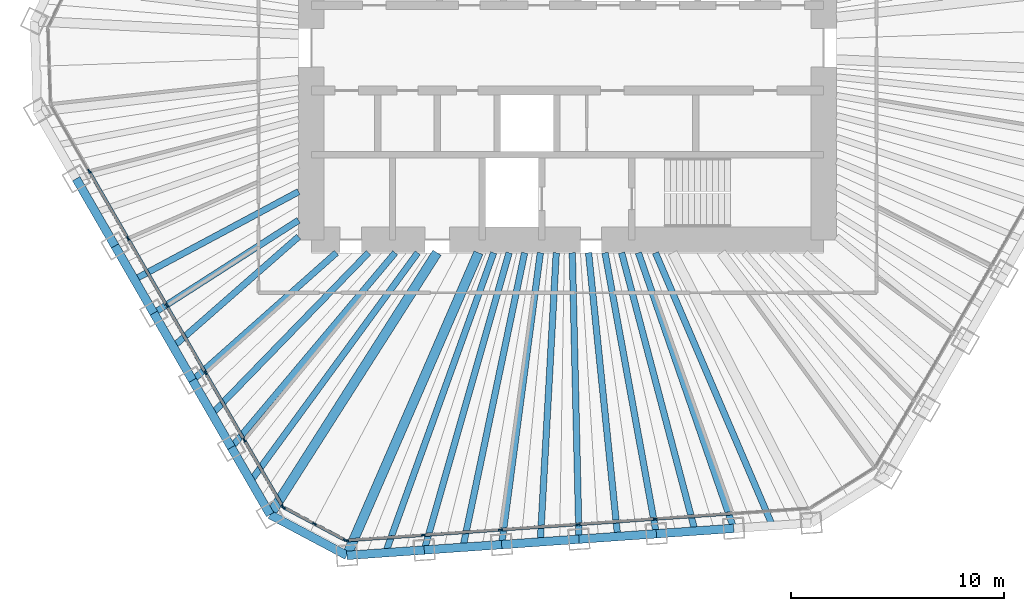
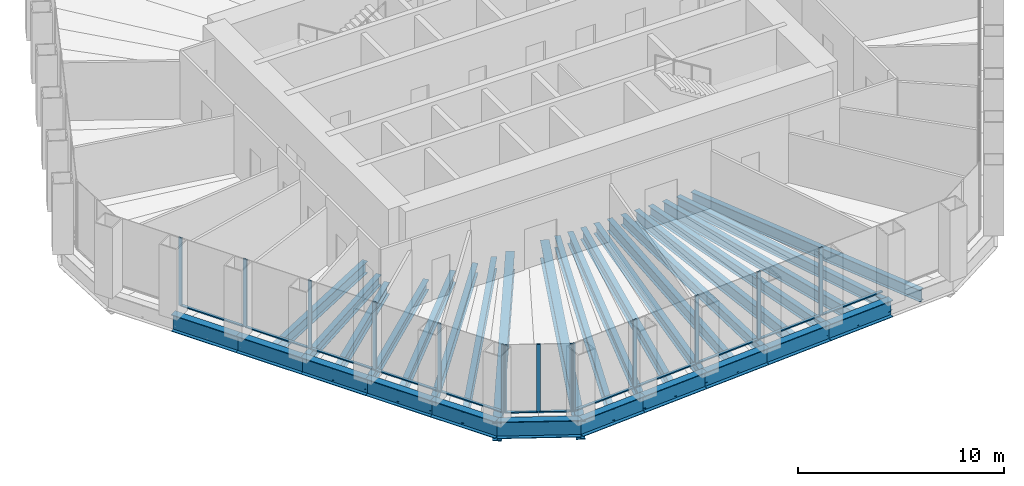
# One storey, part 2 of 14: 31 beams, 26 members, 3 elements without a shape of their own.
"""IFC4 building model written with IfcOpenShell, lengths in metres."""

from ifc_helpers import new_model, si_unit, direction, frame, origin, origin_2d, place, context, subcontext, project, spatial, rectangle, i_section, extrude, material, material_profile, profile_set, type_object, element, aggregate, save


model = new_model("IFC4")

# Units and contexts
model_context = context("Model", 3, precision=1e-05, world=origin(), true_north=direction((0.0, 1.0)))
body_context = subcontext(model_context, "Body", "Model", "MODEL_VIEW")
ifc_project = project(units=[si_unit("LENGTHUNIT", "METRE"), si_unit("AREAUNIT", "SQUARE_METRE"), si_unit("VOLUMEUNIT", "CUBIC_METRE"), si_unit("PLANEANGLEUNIT", "RADIAN"), si_unit("MASSUNIT", "GRAM", prefix="KILO")], contexts=[model_context])

# Site, building, storey
site_placement = place(None, origin())
site = spatial("IfcSite", under=ifc_project, at=site_placement, CompositionType="ELEMENT")
building_placement = place(site_placement, origin())
building = spatial("IfcBuilding", under=site, at=building_placement, Name="Qingtian Harvest Tower", CompositionType="ELEMENT")
storey_placement = place(building_placement, frame((0.0, 0.0, 239.199951171875)))
storey = spatial("IfcBuildingStorey", under=building, at=storey_placement, Name="L52", CompositionType="ELEMENT", Elevation=239.199951171875)

# Beams
ifc_material_1 = material(Name="Steel SM570MC", Category="steel")
ifc_material_profile_1 = material_profile(ifc_material_1, i_section(OverallWidth=0.449951171875, OverallDepth=1.10009765625, WebThickness=0.02197265625, FlangeThickness=0.044921875, at=origin_2d()), Name="H1100x450x22x45")
ifc_profile_set_1 = profile_set([ifc_material_profile_1], Name="Steel SM570MC")
beam_type_1 = type_object("IfcBeamType", Name="Corner floor beam FB8 H1100x450x22x45", PredefinedType="BEAM", material=ifc_profile_set_1)
beam_1_placement = place(storey_placement, frame((-10.33837890625, -23.779052734375, -0.719970703125), z_axis=(0.398714563353, 0.917075077063, 0.0), x_axis=(-0.917075077063, 0.398714563353, 0.0)))
element("IfcBeam", 1, at=beam_1_placement, inside=storey, type_object=beam_type_1, Name="Floor beam FB8 S6", PredefinedType="BEAM", context=body_context, shape_type="SweptSolid", body=[
    extrude(i_section(OverallWidth=0.449951171875, OverallDepth=1.10009765625, WebThickness=0.02197265625, FlangeThickness=0.044921875, at=origin_2d()), origin(), (0.0, 0.0, 1.0), 15.461181640625),
])
beam_2_placement = place(storey_placement, frame((-13.9326171875, -21.8681640625, -0.719970703125), z_axis=(0.537326103898, 0.8433745657, 0.0), x_axis=(-0.8433745657, 0.537326103898, 0.0)))
element("IfcBeam", 2, at=beam_2_placement, inside=storey, type_object=beam_type_1, Name="Floor beam FB8 SW0", PredefinedType="BEAM", context=body_context, shape_type="SweptSolid", body=[
    extrude(i_section(OverallWidth=0.449951171875, OverallDepth=1.10009765625, WebThickness=0.02197265625, FlangeThickness=0.044921875, at=origin_2d()), origin(), (0.0, 0.0, 1.0), 14.54638671875),
])
ifc_material_2 = material(Name="Steel SN490B", Category="steel")
ifc_material_profile_2 = material_profile(ifc_material_2, i_section(OverallWidth=0.300048828125, OverallDepth=0.699951171875, WebThickness=0.012939453125, FlangeThickness=0.02392578125, at=origin_2d()), Name="H700x300x13x24")
ifc_profile_set_2 = profile_set([ifc_material_profile_2], Name="Steel SN490B")
beam_type_2 = type_object("IfcBeamType", Name="Floor beam FB2 H700x300x13x24", PredefinedType="BEAM", material=ifc_profile_set_2)
beam_3_placement = place(storey_placement, frame((-6.713623046875, -23.525634765625, -0.52001953125), z_axis=(0.274411610503, 0.961612327303, 0.0), x_axis=(-0.961612327303, 0.274411610503, 0.0)))
element("IfcBeam", 3, at=beam_3_placement, inside=storey, type_object=beam_type_2, Name="Floor beam FB2 S5", PredefinedType="BEAM", context=body_context, shape_type="SweptSolid", body=[
    extrude(i_section(OverallWidth=0.300048828125, OverallDepth=0.699951171875, WebThickness=0.012939453125, FlangeThickness=0.02392578125, at=origin_2d()), origin(), (0.0, 0.0, 1.0), 14.4814453125),
])
ifc_material_3 = material(Name="Steel SN490B", Category="steel")
ifc_material_profile_3 = material_profile(ifc_material_3, i_section(OverallWidth=0.300048828125, OverallDepth=0.60009765625, WebThickness=0.011962890625, FlangeThickness=0.02001953125, at=origin_2d()), Name="H600x300x12x20")
ifc_profile_set_3 = profile_set([ifc_material_profile_3], Name="Steel SN490B")
beam_type_3 = type_object("IfcBeamType", Name="Floor beam FB3 H600x300x12x20", PredefinedType="BEAM", material=ifc_profile_set_3)
beam_4_placement = place(storey_placement, frame((7.78515625, -22.51171875, -0.469970703125), z_axis=(-0.326844175409, 0.945078242793, 0.0), x_axis=(-0.945078242793, -0.326844175409, 0.0)))
element("IfcBeam", 4, at=beam_4_placement, inside=storey, type_object=beam_type_3, Name="Floor beam FB3 S1", PredefinedType="BEAM", context=body_context, shape_type="SweptSolid", body=[
    extrude(i_section(OverallWidth=0.300048828125, OverallDepth=0.60009765625, WebThickness=0.011962890625, FlangeThickness=0.02001953125, at=origin_2d()), origin(), (0.0, 0.0, 1.0), 13.661865234375),
])
beam_5_placement = place(storey_placement, frame((4.160400390625, -22.76513671875, -0.469970703125), z_axis=(-0.179779537209, 0.983706926885, 0.0), x_axis=(-0.983706926885, -0.179779537209, 0.0)))
element("IfcBeam", 5, at=beam_5_placement, inside=storey, type_object=beam_type_3, Name="Floor beam FB3 S2", PredefinedType="BEAM", context=body_context, shape_type="SweptSolid", body=[
    extrude(i_section(OverallWidth=0.300048828125, OverallDepth=0.60009765625, WebThickness=0.011962890625, FlangeThickness=0.02001953125, at=origin_2d()), origin(), (0.0, 0.0, 1.0), 13.383056640625),
])
beam_6_placement = place(storey_placement, frame((0.53564453125, -23.018798828125, -0.469970703125), z_axis=(-0.023263902078, 0.999729358807, 0.0), x_axis=(-0.999729358807, -0.023263902078, 0.0)))
element("IfcBeam", 6, at=beam_6_placement, inside=storey, type_object=beam_type_3, Name="Floor beam FB3 S3", PredefinedType="BEAM", context=body_context, shape_type="SweptSolid", body=[
    extrude(i_section(OverallWidth=0.300048828125, OverallDepth=0.60009765625, WebThickness=0.011962890625, FlangeThickness=0.02001953125, at=origin_2d()), origin(), (0.0, 0.0, 1.0), 13.42236328125),
])
beam_7_placement = place(storey_placement, frame((-3.089111328125, -23.272216796875, -0.469970703125), z_axis=(0.131593229442, 0.991303799027, 0.0), x_axis=(-0.991303799027, 0.131593229442, 0.0)))
element("IfcBeam", 7, at=beam_7_placement, inside=storey, type_object=beam_type_3, Name="Floor beam FB3 S4", PredefinedType="BEAM", context=body_context, shape_type="SweptSolid", body=[
    extrude(i_section(OverallWidth=0.300048828125, OverallDepth=0.60009765625, WebThickness=0.011962890625, FlangeThickness=0.02001953125, at=origin_2d()), origin(), (0.0, 0.0, 1.0), 13.7919921875),
])
beam_8_placement = place(storey_placement, frame((-15.749267578125, -18.72119140625, -0.469970703125), z_axis=(0.643763532906, 0.765224485821, 0.0), x_axis=(-0.765224485821, 0.643763532906, 0.0)))
element("IfcBeam", 8, at=beam_8_placement, inside=storey, type_object=beam_type_3, Name="Floor beam FB3 SW1", PredefinedType="BEAM", context=body_context, shape_type="SweptSolid", body=[
    extrude(i_section(OverallWidth=0.300048828125, OverallDepth=0.60009765625, WebThickness=0.011962890625, FlangeThickness=0.02001953125, at=origin_2d()), origin(), (0.0, 0.0, 1.0), 11.91943359375),
])
beam_9_placement = place(storey_placement, frame((-17.566162109375, -15.574462890625, -0.469970703125), z_axis=(0.748259768664, 0.663405847577, 0.0), x_axis=(-0.663405847577, 0.748259768664, 0.0)))
element("IfcBeam", 9, at=beam_9_placement, inside=storey, type_object=beam_type_3, Name="Floor beam FB3 SW2", PredefinedType="BEAM", context=body_context, shape_type="SweptSolid", body=[
    extrude(i_section(OverallWidth=0.300048828125, OverallDepth=0.60009765625, WebThickness=0.011962890625, FlangeThickness=0.02001953125, at=origin_2d()), origin(), (0.0, 0.0, 1.0), 9.005615234375),
])
beam_10_placement = place(storey_placement, frame((-19.3828125, -12.427734375, -0.469970703125), z_axis=(0.841823714388, 0.539752567288, 0.0), x_axis=(-0.539752567288, 0.841823714388, 0.0)))
element("IfcBeam", 10, at=beam_10_placement, inside=storey, type_object=beam_type_3, Name="Floor beam FB3 SW3", PredefinedType="BEAM", context=body_context, shape_type="SweptSolid", body=[
    extrude(i_section(OverallWidth=0.300048828125, OverallDepth=0.60009765625, WebThickness=0.011962890625, FlangeThickness=0.02001953125, at=origin_2d()), origin(), (0.0, 0.0, 1.0), 8.05712890625),
])
ifc_material_4 = material(Name="Steel SN490B", Category="steel")
ifc_material_profile_4 = material_profile(ifc_material_4, i_section(OverallWidth=0.300048828125, OverallDepth=0.699951171875, WebThickness=0.012939453125, FlangeThickness=0.02392578125, at=origin_2d()), Name="H700x300x13x24")
ifc_profile_set_4 = profile_set([ifc_material_profile_4], Name="Steel SN490B")
beam_type_4 = type_object("IfcBeamType", Name="Floor joist J2 H700x300x13x24", PredefinedType="JOIST", material=ifc_profile_set_4)
beam_11_placement = place(storey_placement, frame((9.597412109375, -22.385009765625, -0.52001953125), z_axis=(-0.394052741766, 0.919087828614, 0.0), x_axis=(-0.919087828614, -0.394052741766, 0.0)))
element("IfcBeam", 11, at=beam_11_placement, inside=storey, type_object=beam_type_4, Name="Floor joist J2 S0", PredefinedType="JOIST", context=body_context, shape_type="SweptSolid", body=[
    extrude(i_section(OverallWidth=0.300048828125, OverallDepth=0.699951171875, WebThickness=0.012939453125, FlangeThickness=0.02392578125, at=origin_2d()), origin(), (0.0, 0.0, 1.0), 13.910400390625),
])
beam_12_placement = place(storey_placement, frame((5.97265625, -22.638427734375, -0.52001953125), z_axis=(-0.255103716232, 0.9669136952, 0.0), x_axis=(-0.9669136952, -0.255103716232, 0.0)))
element("IfcBeam", 12, at=beam_12_placement, inside=storey, type_object=beam_type_4, Name="Floor joist J2 S1", PredefinedType="JOIST", context=body_context, shape_type="SweptSolid", body=[
    extrude(i_section(OverallWidth=0.300048828125, OverallDepth=0.699951171875, WebThickness=0.012939453125, FlangeThickness=0.02392578125, at=origin_2d()), origin(), (0.0, 0.0, 1.0), 13.484375),
])
beam_13_placement = place(storey_placement, frame((2.347900390625, -22.89208984375, -0.52001953125), z_axis=(-0.102028865499, 0.994781438611, 0.0), x_axis=(-0.994781438611, -0.102028865499, 0.0)))
element("IfcBeam", 13, at=beam_13_placement, inside=storey, type_object=beam_type_4, Name="Floor joist J2 S2", PredefinedType="JOIST", context=body_context, shape_type="SweptSolid", body=[
    extrude(i_section(OverallWidth=0.300048828125, OverallDepth=0.699951171875, WebThickness=0.012939453125, FlangeThickness=0.02392578125, at=origin_2d()), origin(), (0.0, 0.0, 1.0), 13.36181640625),
])
beam_14_placement = place(storey_placement, frame((-1.276611328125, -23.1455078125, -0.52001953125), z_axis=(0.055069329716, 0.998482533109, 0.0), x_axis=(-0.998482533109, 0.055069329716, 0.0)))
element("IfcBeam", 14, at=beam_14_placement, inside=storey, type_object=beam_type_4, Name="Floor joist J2 S3", PredefinedType="JOIST", context=body_context, shape_type="SweptSolid", body=[
    extrude(i_section(OverallWidth=0.300048828125, OverallDepth=0.699951171875, WebThickness=0.012939453125, FlangeThickness=0.02392578125, at=origin_2d()), origin(), (0.0, 0.0, 1.0), 13.56591796875),
])
beam_15_placement = place(storey_placement, frame((-4.9013671875, -23.39892578125, -0.52001953125), z_axis=(0.205016322093, 0.978758554331, 0.0), x_axis=(-0.978758554331, 0.205016322093, 0.0)))
element("IfcBeam", 15, at=beam_15_placement, inside=storey, type_object=beam_type_4, Name="Floor joist J2 S4", PredefinedType="JOIST", context=body_context, shape_type="SweptSolid", body=[
    extrude(i_section(OverallWidth=0.300048828125, OverallDepth=0.699951171875, WebThickness=0.012939453125, FlangeThickness=0.02392578125, at=origin_2d()), origin(), (0.0, 0.0, 1.0), 14.098388671875),
])
beam_16_placement = place(storey_placement, frame((-8.526123046875, -23.65234375, -0.52001953125), z_axis=(0.339126305921, 0.940740850943, 0.0), x_axis=(-0.940740850943, 0.339126305921, 0.0)))
element("IfcBeam", 16, at=beam_16_placement, inside=storey, type_object=beam_type_4, Name="Floor joist J2 S5", PredefinedType="JOIST", context=body_context, shape_type="SweptSolid", body=[
    extrude(i_section(OverallWidth=0.300048828125, OverallDepth=0.699951171875, WebThickness=0.012939453125, FlangeThickness=0.02392578125, at=origin_2d()), origin(), (0.0, 0.0, 1.0), 14.9375),
])
beam_17_placement = place(storey_placement, frame((-14.841064453125, -20.294677734375, -0.52001953125), z_axis=(0.590288677526, 0.807192218238, 0.0), x_axis=(-0.807192218238, 0.590288677526, 0.0)))
element("IfcBeam", 17, at=beam_17_placement, inside=storey, type_object=beam_type_4, Name="Floor joist J2 SW0", PredefinedType="JOIST", context=body_context, shape_type="SweptSolid", body=[
    extrude(i_section(OverallWidth=0.300048828125, OverallDepth=0.699951171875, WebThickness=0.012939453125, FlangeThickness=0.02392578125, at=origin_2d()), origin(), (0.0, 0.0, 1.0), 13.2490234375),
])
beam_18_placement = place(storey_placement, frame((-16.65771484375, -17.14794921875, -0.52001953125), z_axis=(0.696777499009, 0.717287332158, 0.0), x_axis=(-0.717287332158, 0.696777499009, 0.0)))
element("IfcBeam", 18, at=beam_18_placement, inside=storey, type_object=beam_type_4, Name="Floor joist J2 SW1", PredefinedType="JOIST", context=body_context, shape_type="SweptSolid", body=[
    extrude(i_section(OverallWidth=0.300048828125, OverallDepth=0.699951171875, WebThickness=0.012939453125, FlangeThickness=0.02392578125, at=origin_2d()), origin(), (0.0, 0.0, 1.0), 10.522705078125),
])
beam_19_placement = place(storey_placement, frame((-18.474609375, -14.001220703125, -0.52001953125), z_axis=(0.751883296969, 0.659296221542, 0.0), x_axis=(-0.659296221542, 0.751883296969, 0.0)))
element("IfcBeam", 19, at=beam_19_placement, inside=storey, type_object=beam_type_4, Name="Floor joist J2 SW2", PredefinedType="JOIST", context=body_context, shape_type="SweptSolid", body=[
    extrude(i_section(OverallWidth=0.300048828125, OverallDepth=0.699951171875, WebThickness=0.012939453125, FlangeThickness=0.02392578125, at=origin_2d()), origin(), (0.0, 0.0, 1.0), 7.81298828125),
])
beam_20_placement = place(storey_placement, frame((-20.291259765625, -10.8544921875, -0.52001953125), z_axis=(0.881766503154, 0.471686160402, 0.0), x_axis=(-0.471686160402, 0.881766503154, 0.0)))
element("IfcBeam", 20, at=beam_20_placement, inside=storey, type_object=beam_type_4, Name="Floor joist J2 SW3", PredefinedType="JOIST", context=body_context, shape_type="SweptSolid", body=[
    extrude(i_section(OverallWidth=0.300048828125, OverallDepth=0.699951171875, WebThickness=0.012939453125, FlangeThickness=0.02392578125, at=origin_2d()), origin(), (0.0, 0.0, 1.0), 8.722412109375),
])

# Curtain wall, members
ifc_material_5 = material(Name="Bronze-anodised aluminium curtain wall", Category="aluminium")
curtain_wall_type = type_object("IfcCurtainWallType", Name="Curtain wall CW4 office", PredefinedType="USERDEFINED", material=ifc_material_5)
curtain_wall_1_placement = place(storey_placement, origin())
curtain_wall_1 = element("IfcCurtainWall", 21, at=curtain_wall_1_placement, inside=storey, type_object=curtain_wall_type, Name="Curtain wall CW4 L52 S0-5", ObjectType="RECESSED CURTAIN WALL", PredefinedType="USERDEFINED")
ifc_material_6 = material(Name="Bronze-anodised aluminium mullion", Category="aluminium")
ifc_material_profile_5 = material_profile(ifc_material_6, rectangle(XDim=0.06494140625, YDim=0.199951171875, at=origin_2d()), Name="AL 65x200")
ifc_profile_set_5 = profile_set([ifc_material_profile_5], Name="Bronze-anodised aluminium mullion")
member_type_1 = type_object("IfcMemberType", Name="Mullion CWM 65x200", PredefinedType="MULLION", material=ifc_profile_set_5)
member_1_placement = place(storey_placement, frame((4.111572265625, -22.06689453125, 0.0), z_axis=(0.0, 0.0, 1.0), x_axis=(0.069756473744, -0.99756405026, 0.0)))
member_1 = element("IfcMember", 22, at=member_1_placement, type_object=member_type_1, Name="CW4 mullion 3", PredefinedType="MULLION", context=body_context, shape_type="SweptSolid", body=[
    extrude(rectangle(XDim=0.06494140625, YDim=0.199951171875, at=origin_2d()), origin(), (0.0, 0.0, 1.0), 4.030029296875),
])
member_2_placement = place(storey_placement, frame((0.48681640625, -22.3203125, 0.0), z_axis=(0.0, 0.0, 1.0), x_axis=(0.069756473744, -0.99756405026, 0.0)))
member_2 = element("IfcMember", 23, at=member_2_placement, type_object=member_type_1, Name="CW4 mullion 4", PredefinedType="MULLION", context=body_context, shape_type="SweptSolid", body=[
    extrude(rectangle(XDim=0.06494140625, YDim=0.199951171875, at=origin_2d()), origin(), (0.0, 0.0, 1.0), 4.030029296875),
])
member_3_placement = place(storey_placement, frame((-3.137939453125, -22.573974609375, 0.0), z_axis=(0.0, 0.0, 1.0), x_axis=(0.069756473744, -0.99756405026, 0.0)))
member_3 = element("IfcMember", 24, at=member_3_placement, type_object=member_type_1, Name="CW4 mullion 5", PredefinedType="MULLION", context=body_context, shape_type="SweptSolid", body=[
    extrude(rectangle(XDim=0.06494140625, YDim=0.199951171875, at=origin_2d()), origin(), (0.0, 0.0, 1.0), 4.030029296875),
])
member_4_placement = place(storey_placement, frame((-6.762451171875, -22.827392578125, 0.0), z_axis=(0.0, 0.0, 1.0), x_axis=(0.069756473744, -0.99756405026, 0.0)))
member_4 = element("IfcMember", 25, at=member_4_placement, type_object=member_type_1, Name="CW4 mullion 6", PredefinedType="MULLION", context=body_context, shape_type="SweptSolid", body=[
    extrude(rectangle(XDim=0.06494140625, YDim=0.199951171875, at=origin_2d()), origin(), (0.0, 0.0, 1.0), 4.030029296875),
])
member_5_placement = place(storey_placement, frame((-10.354736328125, -23.07861328125, 0.0), z_axis=(0.0, 0.0, 1.0), x_axis=(0.069756473744, -0.99756405026, 0.0)))
member_5 = element("IfcMember", 26, at=member_5_placement, type_object=member_type_1, Name="CW4 mullion 7", PredefinedType="MULLION", context=body_context, shape_type="SweptSolid", body=[
    extrude(rectangle(XDim=0.06494140625, YDim=0.199951171875, at=origin_2d()), origin(), (0.0, 0.0, 1.0), 4.030029296875),
])

curtain_wall_2_placement = place(storey_placement, origin())
curtain_wall_2 = element("IfcCurtainWall", 27, at=curtain_wall_2_placement, inside=storey, type_object=curtain_wall_type, Name="Curtain wall CW4 L52 SC", ObjectType="RECESSED CURTAIN WALL", PredefinedType="USERDEFINED")
member_6_placement = place(storey_placement, frame((-10.416015625, -23.0654296875, 0.0), z_axis=(0.0, 0.0, 1.0), x_axis=(-0.469471562786, -0.882947592859, 0.0)))
member_6 = element("IfcMember", 28, at=member_6_placement, type_object=member_type_1, Name="CW4 mullion 1", PredefinedType="MULLION", context=body_context, shape_type="SweptSolid", body=[
    extrude(rectangle(XDim=0.06494140625, YDim=0.199951171875, at=origin_2d()), origin(), (0.0, 0.0, 1.0), 4.030029296875),
])
member_7_placement = place(storey_placement, frame((-11.85693359375, -22.29931640625, 0.0), z_axis=(0.0, 0.0, 1.0), x_axis=(-0.469471562786, -0.882947592859, 0.0)))
member_7 = element("IfcMember", 29, at=member_7_placement, type_object=member_type_1, Name="CW4 mullion 2", PredefinedType="MULLION", context=body_context, shape_type="SweptSolid", body=[
    extrude(rectangle(XDim=0.06494140625, YDim=0.199951171875, at=origin_2d()), origin(), (0.0, 0.0, 1.0), 4.030029296875),
])
member_8_placement = place(storey_placement, frame((-13.297607421875, -21.533203125, 0.0), z_axis=(0.0, 0.0, 1.0), x_axis=(-0.469471562786, -0.882947592859, 0.0)))
member_8 = element("IfcMember", 30, at=member_8_placement, type_object=member_type_1, Name="CW4 mullion 3", PredefinedType="MULLION", context=body_context, shape_type="SweptSolid", body=[
    extrude(rectangle(XDim=0.06494140625, YDim=0.199951171875, at=origin_2d()), origin(), (0.0, 0.0, 1.0), 4.030029296875),
])

curtain_wall_3_placement = place(storey_placement, origin())
curtain_wall_3 = element("IfcCurtainWall", 31, at=curtain_wall_3_placement, inside=storey, type_object=curtain_wall_type, Name="Curtain wall CW4 L52 SW0-5", ObjectType="RECESSED CURTAIN WALL", PredefinedType="USERDEFINED")
member_9_placement = place(storey_placement, frame((-13.342529296875, -21.489990234375, 0.0), z_axis=(0.0, 0.0, 1.0), x_axis=(-0.866025403784, -0.5, 0.0)))
member_9 = element("IfcMember", 32, at=member_9_placement, type_object=member_type_1, Name="CW4 mullion 1", PredefinedType="MULLION", context=body_context, shape_type="SweptSolid", body=[
    extrude(rectangle(XDim=0.06494140625, YDim=0.199951171875, at=origin_2d()), origin(), (0.0, 0.0, 1.0), 4.030029296875),
])
member_10_placement = place(storey_placement, frame((-15.14306640625, -18.371337890625, 0.0), z_axis=(0.0, 0.0, 1.0), x_axis=(-0.866025403784, -0.5, 0.0)))
member_10 = element("IfcMember", 33, at=member_10_placement, type_object=member_type_1, Name="CW4 mullion 2", PredefinedType="MULLION", context=body_context, shape_type="SweptSolid", body=[
    extrude(rectangle(XDim=0.06494140625, YDim=0.199951171875, at=origin_2d()), origin(), (0.0, 0.0, 1.0), 4.030029296875),
])
member_11_placement = place(storey_placement, frame((-16.9599609375, -15.224609375, 0.0), z_axis=(0.0, 0.0, 1.0), x_axis=(-0.866025403784, -0.5, 0.0)))
member_11 = element("IfcMember", 34, at=member_11_placement, type_object=member_type_1, Name="CW4 mullion 3", PredefinedType="MULLION", context=body_context, shape_type="SweptSolid", body=[
    extrude(rectangle(XDim=0.06494140625, YDim=0.199951171875, at=origin_2d()), origin(), (0.0, 0.0, 1.0), 4.030029296875),
])
member_12_placement = place(storey_placement, frame((-18.776611328125, -12.077880859375, 0.0), z_axis=(0.0, 0.0, 1.0), x_axis=(-0.866025403784, -0.5, 0.0)))
member_12 = element("IfcMember", 35, at=member_12_placement, type_object=member_type_1, Name="CW4 mullion 4", PredefinedType="MULLION", context=body_context, shape_type="SweptSolid", body=[
    extrude(rectangle(XDim=0.06494140625, YDim=0.199951171875, at=origin_2d()), origin(), (0.0, 0.0, 1.0), 4.030029296875),
])
member_13_placement = place(storey_placement, frame((-20.593505859375, -8.93115234375, 0.0), z_axis=(0.0, 0.0, 1.0), x_axis=(-0.866025403784, -0.5, 0.0)))
member_13 = element("IfcMember", 36, at=member_13_placement, type_object=member_type_1, Name="CW4 mullion 5", PredefinedType="MULLION", context=body_context, shape_type="SweptSolid", body=[
    extrude(rectangle(XDim=0.06494140625, YDim=0.199951171875, at=origin_2d()), origin(), (0.0, 0.0, 1.0), 4.030029296875),
])
member_14_placement = place(storey_placement, frame((-22.41015625, -5.784423828125, 0.0), z_axis=(0.0, 0.0, 1.0), x_axis=(-0.866025403784, -0.5, 0.0)))
member_14 = element("IfcMember", 37, at=member_14_placement, type_object=member_type_1, Name="CW4 mullion 6", PredefinedType="MULLION", context=body_context, shape_type="SweptSolid", body=[
    extrude(rectangle(XDim=0.06494140625, YDim=0.199951171875, at=origin_2d()), origin(), (0.0, 0.0, 1.0), 4.030029296875),
])

# Beams
ifc_material_7 = material(Name="Steel SN490B", Category="steel")
ifc_material_profile_6 = material_profile(ifc_material_7, i_section(OverallWidth=0.39990234375, OverallDepth=1.0, WebThickness=0.01904296875, FlangeThickness=0.035888671875, at=origin_2d()), Name="H1000x400x19x36")
ifc_profile_set_6 = profile_set([ifc_material_profile_6], Name="Steel SN490B")
beam_type_5 = type_object("IfcBeamType", Name="Spandrel beam SB3 H1000x400x19x36", PredefinedType="SPANDREL", material=ifc_profile_set_6)
for number, where, z_axis, x_axis, name in (
    (38, (7.78515625, -22.51171875, -0.5), (-0.997565001055, -0.069742875402, 0.0), (0.069742875402, -0.997565001055, 0.0), "Spandrel SB3 S1"),
    (39, (4.160400390625, -22.76513671875, -0.5), (-0.997560324246, -0.069809737785, 0.0), (0.069809737785, -0.997560324246, 0.0), "Spandrel SB3 S2"),
    (40, (0.53564453125, -23.018798828125, -0.5), (-0.997565001055, -0.069742875402, 0.0), (0.069742875402, -0.997565001055, 0.0), "Spandrel SB3 S3"),
):
    element("IfcBeam", number, at=place(storey_placement, frame(where, z_axis=z_axis, x_axis=x_axis)), inside=storey, type_object=beam_type_5, Name=name, PredefinedType="SPANDREL", context=body_context, shape_type="SweptSolid", body=[
        extrude(i_section(OverallWidth=0.39990234375, OverallDepth=1.0, WebThickness=0.01904296875, FlangeThickness=0.035888671875, at=origin_2d()), origin(), (0.0, 0.0, 1.0), 3.633544921875),
    ])
beam_21_placement = place(storey_placement, frame((-3.089111328125, -23.272216796875, -0.5), z_axis=(-0.997564674207, -0.069747550305, 0.0), x_axis=(0.069747550305, -0.997564674207, 0.0)))
element("IfcBeam", 41, at=beam_21_placement, inside=storey, type_object=beam_type_5, Name="Spandrel SB3 S4", PredefinedType="SPANDREL", context=body_context, shape_type="SweptSolid", body=[
    extrude(i_section(OverallWidth=0.39990234375, OverallDepth=1.0, WebThickness=0.01904296875, FlangeThickness=0.035888671875, at=origin_2d()), origin(), (0.0, 0.0, 1.0), 3.63330078125),
])
beam_22_placement = place(storey_placement, frame((-6.713623046875, -23.525634765625, -0.5), z_axis=(-0.997565001055, -0.069742875402, 0.0), x_axis=(0.069742875402, -0.997565001055, 0.0)))
element("IfcBeam", 42, at=beam_22_placement, inside=storey, type_object=beam_type_5, Name="Spandrel SB3 S5", PredefinedType="SPANDREL", context=body_context, shape_type="SweptSolid", body=[
    extrude(i_section(OverallWidth=0.39990234375, OverallDepth=1.0, WebThickness=0.01904296875, FlangeThickness=0.035888671875, at=origin_2d()), origin(), (0.0, 0.0, 1.0), 3.633544921875),
])
beam_23_placement = place(storey_placement, frame((-10.33837890625, -23.779052734375, -0.5), z_axis=(-0.882968133669, 0.469432929101, 0.0), x_axis=(-0.469432929101, -0.882968133669, 0.0)))
element("IfcBeam", 43, at=beam_23_placement, inside=storey, type_object=beam_type_5, Name="Spandrel SB3 SC", PredefinedType="SPANDREL", context=body_context, shape_type="SweptSolid", body=[
    extrude(i_section(OverallWidth=0.39990234375, OverallDepth=1.0, WebThickness=0.01904296875, FlangeThickness=0.035888671875, at=origin_2d()), origin(), (0.0, 0.0, 1.0), 4.070556640625),
])
beam_24_placement = place(storey_placement, frame((-13.9326171875, -21.8681640625, -0.5), z_axis=(-0.499947341849, 0.866055803848, 0.0), x_axis=(-0.866055803848, -0.499947341849, 0.0)))
element("IfcBeam", 44, at=beam_24_placement, inside=storey, type_object=beam_type_5, Name="Spandrel SB3 SW0", PredefinedType="SPANDREL", context=body_context, shape_type="SweptSolid", body=[
    extrude(i_section(OverallWidth=0.39990234375, OverallDepth=1.0, WebThickness=0.01904296875, FlangeThickness=0.035888671875, at=origin_2d()), origin(), (0.0, 0.0, 1.0), 3.6337890625),
])
for number, where, z_axis, x_axis, name in (
    (45, (-15.749267578125, -18.72119140625, -0.5), (-0.500026827678, 0.866009914263, 0.0), (-0.866009914263, -0.500026827678, 0.0), "Spandrel SB3 SW1"),
    (46, (-17.566162109375, -15.574462890625, -0.5), (-0.499976434558, 0.866039008871, 0.0), (-0.866039008871, -0.499976434558, 0.0), "Spandrel SB3 SW2"),
    (47, (-19.3828125, -12.427734375, -0.5), (-0.500026827678, 0.866009914263, 0.0), (-0.866009914263, -0.500026827678, 0.0), "Spandrel SB3 SW3"),
    (48, (-21.19970703125, -9.281005859375, -0.5), (-0.499976434558, 0.866039008871, 0.0), (-0.866039008871, -0.499976434558, 0.0), "Spandrel SB3 SW4"),
):
    element("IfcBeam", number, at=place(storey_placement, frame(where, z_axis=z_axis, x_axis=x_axis)), inside=storey, type_object=beam_type_5, Name=name, PredefinedType="SPANDREL", context=body_context, shape_type="SweptSolid", body=[
        extrude(i_section(OverallWidth=0.39990234375, OverallDepth=1.0, WebThickness=0.01904296875, FlangeThickness=0.035888671875, at=origin_2d()), origin(), (0.0, 0.0, 1.0), 3.633544921875),
    ])

# Member
ifc_material_8 = material(Name="Bronze-anodised aluminium transom", Category="aluminium")
ifc_material_profile_7 = material_profile(ifc_material_8, rectangle(XDim=0.14990234375, YDim=0.06494140625, at=origin_2d()), Name="AL 65x150")
ifc_profile_set_7 = profile_set([ifc_material_profile_7], Name="Bronze-anodised aluminium transom")
member_type_2 = type_object("IfcMemberType", Name="Transom CWT 65x150", PredefinedType="USERDEFINED", material=ifc_profile_set_7)
member_15_placement = place(storey_placement, frame((7.703857421875, -21.815673828125, 0.032470703125), z_axis=(-0.997562159126, -0.069783512949, 0.0), x_axis=(0.069783512949, -0.997562159126, 0.0)))
member_15 = element("IfcMember", 49, at=member_15_placement, type_object=member_type_2, Name="CW4 transom 2.1", ObjectType="TRANSOM", PredefinedType="USERDEFINED", context=body_context, shape_type="SweptSolid", body=[
    extrude(rectangle(XDim=0.14990234375, YDim=0.06494140625, at=origin_2d()), origin(), (0.0, 0.0, 1.0), 3.568603515625),
])

member_16_placement = place(storey_placement, frame((4.0791015625, -22.0693359375, 0.032470703125), z_axis=(-0.99756691944, -0.069715430417, 0.0), x_axis=(0.069715430417, -0.99756691944, 0.0)))
member_16 = element("IfcMember", 50, at=member_16_placement, type_object=member_type_2, Name="CW4 transom 3.1", ObjectType="TRANSOM", PredefinedType="USERDEFINED", context=body_context, shape_type="SweptSolid", body=[
    extrude(rectangle(XDim=0.14990234375, YDim=0.06494140625, at=origin_2d()), origin(), (0.0, 0.0, 1.0), 3.568603515625),
])

member_17_placement = place(storey_placement, frame((0.454345703125, -22.32275390625, 0.032470703125), z_axis=(-0.99756691944, -0.069715430417, 0.0), x_axis=(0.069715430417, -0.99756691944, 0.0)))
member_17 = element("IfcMember", 51, at=member_17_placement, type_object=member_type_2, Name="CW4 transom 4.1", ObjectType="TRANSOM", PredefinedType="USERDEFINED", context=body_context, shape_type="SweptSolid", body=[
    extrude(rectangle(XDim=0.14990234375, YDim=0.06494140625, at=origin_2d()), origin(), (0.0, 0.0, 1.0), 3.568603515625),
])

member_18_placement = place(storey_placement, frame((-3.170166015625, -22.576171875, 0.032470703125), z_axis=(-0.997567251922, -0.069710672727, 0.0), x_axis=(0.069710672727, -0.997567251922, 0.0)))
member_18 = element("IfcMember", 52, at=member_18_placement, type_object=member_type_2, Name="CW4 transom 5.1", ObjectType="TRANSOM", PredefinedType="USERDEFINED", context=body_context, shape_type="SweptSolid", body=[
    extrude(rectangle(XDim=0.14990234375, YDim=0.06494140625, at=origin_2d()), origin(), (0.0, 0.0, 1.0), 3.56884765625),
])

member_19_placement = place(storey_placement, frame((-6.794921875, -22.82958984375, 0.032470703125), z_axis=(-0.997565839557, -0.069730880888, 0.0), x_axis=(0.069730880888, -0.997565839557, 0.0)))
member_19 = element("IfcMember", 53, at=member_19_placement, type_object=member_type_2, Name="CW4 transom 6.1", ObjectType="TRANSOM", PredefinedType="USERDEFINED", context=body_context, shape_type="SweptSolid", body=[
    extrude(rectangle(XDim=0.14990234375, YDim=0.06494140625, at=origin_2d()), origin(), (0.0, 0.0, 1.0), 3.5361328125),
])

aggregate(curtain_wall_1, [member_1, member_2, member_3, member_4, member_5, member_15, member_16, member_17, member_18, member_19])

member_20_placement = place(storey_placement, frame((-10.444580078125, -23.05029296875, 0.032470703125), z_axis=(-0.882960338349, 0.46944759122, 0.0), x_axis=(-0.46944759122, -0.882960338349, 0.0)))
member_20 = element("IfcMember", 54, at=member_20_placement, type_object=member_type_2, Name="CW4 transom 1.1", ObjectType="TRANSOM", PredefinedType="USERDEFINED", context=body_context, shape_type="SweptSolid", body=[
    extrude(rectangle(XDim=0.14990234375, YDim=0.06494140625, at=origin_2d()), origin(), (0.0, 0.0, 1.0), 1.56689453125),
])

member_21_placement = place(storey_placement, frame((-11.885498046875, -22.2841796875, 0.032470703125), z_axis=(-0.882960338349, 0.46944759122, 0.0), x_axis=(-0.46944759122, -0.882960338349, 0.0)))
member_21 = element("IfcMember", 55, at=member_21_placement, type_object=member_type_2, Name="CW4 transom 2.1", ObjectType="TRANSOM", PredefinedType="USERDEFINED", context=body_context, shape_type="SweptSolid", body=[
    extrude(rectangle(XDim=0.14990234375, YDim=0.06494140625, at=origin_2d()), origin(), (0.0, 0.0, 1.0), 1.56689453125),
])

aggregate(curtain_wall_2, [member_6, member_7, member_8, member_20, member_21])

member_22_placement = place(storey_placement, frame((-13.35888671875, -21.461669921875, 0.032470703125), z_axis=(-0.500015305566, 0.866016566931, 0.0), x_axis=(-0.866016566931, -0.500015305566, 0.0)))
member_22 = element("IfcMember", 56, at=member_22_placement, type_object=member_type_2, Name="CW4 transom 1.1", ObjectType="TRANSOM", PredefinedType="USERDEFINED", context=body_context, shape_type="SweptSolid", body=[
    extrude(rectangle(XDim=0.14990234375, YDim=0.06494140625, at=origin_2d()), origin(), (0.0, 0.0, 1.0), 3.5361328125),
])

member_23_placement = place(storey_placement, frame((-15.159423828125, -18.34326171875, 0.032470703125), z_axis=(-0.499965259726, 0.866045460162, 0.0), x_axis=(-0.866045460162, -0.499965259726, 0.0)))
member_23 = element("IfcMember", 57, at=member_23_placement, type_object=member_type_2, Name="CW4 transom 2.1", ObjectType="TRANSOM", PredefinedType="USERDEFINED", context=body_context, shape_type="SweptSolid", body=[
    extrude(rectangle(XDim=0.14990234375, YDim=0.06494140625, at=origin_2d()), origin(), (0.0, 0.0, 1.0), 3.568603515625),
])

member_24_placement = place(storey_placement, frame((-16.97607421875, -15.1962890625, 0.032470703125), z_axis=(-0.500046194516, 0.865998731726, 0.0), x_axis=(-0.865998731726, -0.500046194516, 0.0)))
member_24 = element("IfcMember", 58, at=member_24_placement, type_object=member_type_2, Name="CW4 transom 3.1", ObjectType="TRANSOM", PredefinedType="USERDEFINED", context=body_context, shape_type="SweptSolid", body=[
    extrude(rectangle(XDim=0.14990234375, YDim=0.06494140625, at=origin_2d()), origin(), (0.0, 0.0, 1.0), 3.568603515625),
])

member_25_placement = place(storey_placement, frame((-18.79296875, -12.049560546875, 0.032470703125), z_axis=(-0.499994883695, 0.866028357664, 0.0), x_axis=(-0.866028357664, -0.499994883695, 0.0)))
member_25 = element("IfcMember", 59, at=member_25_placement, type_object=member_type_2, Name="CW4 transom 4.1", ObjectType="TRANSOM", PredefinedType="USERDEFINED", context=body_context, shape_type="SweptSolid", body=[
    extrude(rectangle(XDim=0.14990234375, YDim=0.06494140625, at=origin_2d()), origin(), (0.0, 0.0, 1.0), 3.568359375),
])

member_26_placement = place(storey_placement, frame((-20.609619140625, -8.90283203125, 0.032470703125), z_axis=(-0.500046194516, 0.865998731726, 0.0), x_axis=(-0.865998731726, -0.500046194516, 0.0)))
member_26 = element("IfcMember", 60, at=member_26_placement, type_object=member_type_2, Name="CW4 transom 5.1", ObjectType="TRANSOM", PredefinedType="USERDEFINED", context=body_context, shape_type="SweptSolid", body=[
    extrude(rectangle(XDim=0.14990234375, YDim=0.06494140625, at=origin_2d()), origin(), (0.0, 0.0, 1.0), 3.568603515625),
])

aggregate(curtain_wall_3, [member_9, member_10, member_11, member_12, member_13, member_14, member_22, member_23, member_24, member_25, member_26])

save(model, "model.ifc")
